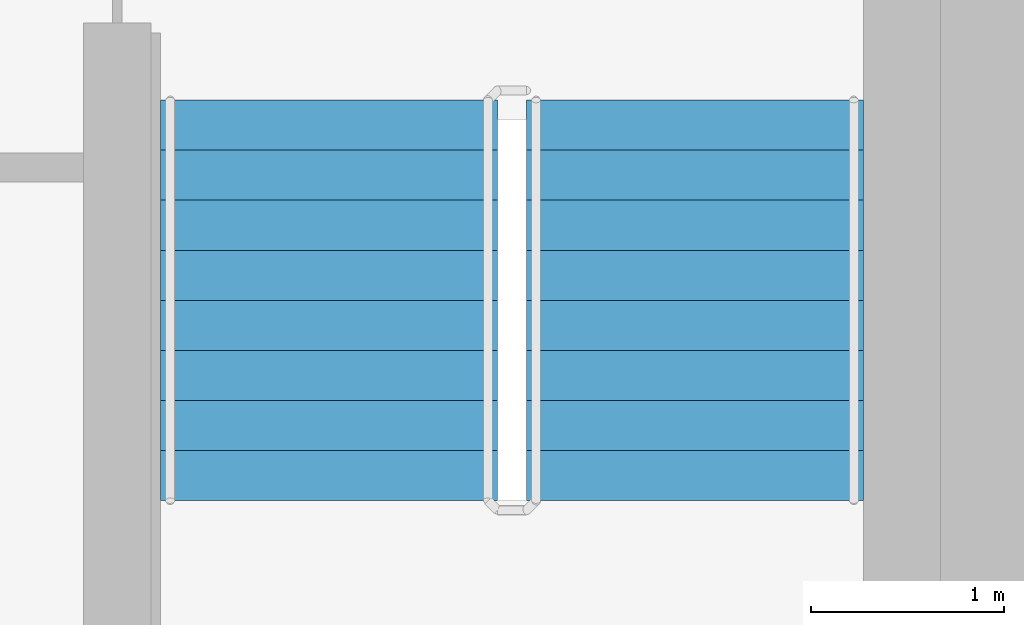
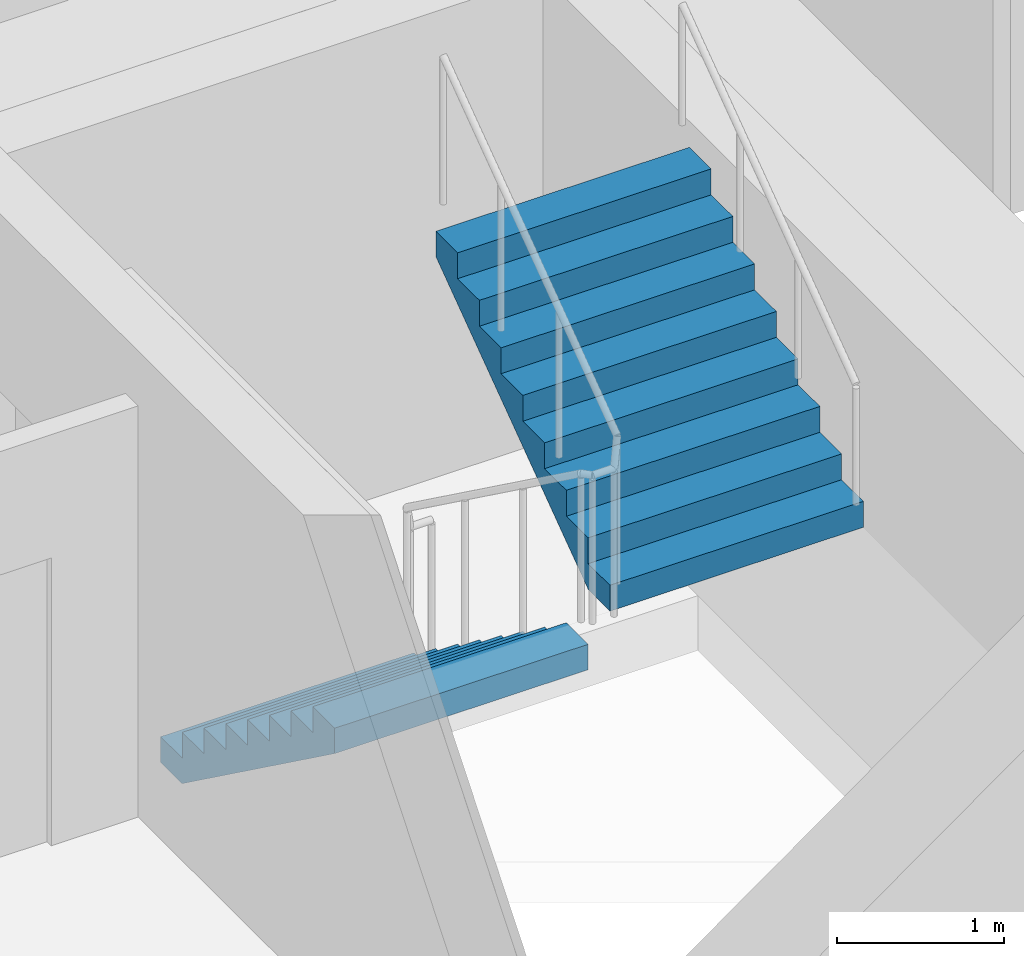
# One storey, part 14 of 18: 2 stair flights, 1 element without a shape of its own.
"""IFC4 building model written with IfcOpenShell, lengths in metres."""

from ifc_helpers import new_model, si_unit, direction, frame, origin, place, context, subcontext, project, spatial, faceted_brep, material, type_object, element, aggregate, save


model = new_model("IFC4")

# Units and contexts
model_context = context("Model", 3, precision=1e-05, world=origin(), true_north=direction((0.0, 1.0)))
body_context = subcontext(model_context, "Body", "Model", "MODEL_VIEW")
ifc_project = project(units=[si_unit("LENGTHUNIT", "METRE"), si_unit("AREAUNIT", "SQUARE_METRE"), si_unit("VOLUMEUNIT", "CUBIC_METRE"), si_unit("PLANEANGLEUNIT", "RADIAN"), si_unit("MASSUNIT", "GRAM", prefix="KILO")], contexts=[model_context])

# Site, building, storey
site_placement = place(None, origin())
site = spatial("IfcSite", under=ifc_project, at=site_placement, CompositionType="ELEMENT")
building_placement = place(site_placement, origin())
building = spatial("IfcBuilding", under=site, at=building_placement, Name="Ipe Terrace Towers", CompositionType="ELEMENT")
storey_placement = place(building_placement, frame((0.0, 0.0, 143.89990234375)))
storey = spatial("IfcBuildingStorey", under=building, at=storey_placement, Name="L39", CompositionType="ELEMENT", Elevation=143.89990234375)

# Stair, stair flights
ifc_material_1 = material(Name="Concrete C30/37", Category="concrete")
stair_type = type_object("IfcStairType", Name="Protected exit stair", PredefinedType="HALF_TURN_STAIR", material=ifc_material_1)
stair_placement = place(storey_placement, origin())
stair = element("IfcStair", 1, at=stair_placement, inside=storey, type_object=stair_type, Name="L39 Exit stair T2-C2", PredefinedType="HALF_TURN_STAIR")
ifc_material_2 = material(Name="Concrete C30/37", Category="concrete")
stair_flight_type = type_object("IfcStairFlightType", Name="Exit stair flight 1750", PredefinedType="STRAIGHT", material=ifc_material_2)
stair_flight_1_placement = place(storey_placement, frame((38.77490234375, -9.699951171875, 0.0), z_axis=(0.0, 0.0, 1.0), x_axis=(0.0, -1.0, 0.0)))
stair_flight_1 = element("IfcStairFlight", 2, at=stair_flight_1_placement, type_object=stair_flight_type, Name="T2-ST2 flight 1", NumberOfRisers=9, NumberOfTreads=8, PredefinedType="STRAIGHT", RiserHeight=0.188888889, TreadLength=0.26, context=body_context, shape_type="Brep", body=[
    faceted_brep([(0.255126953125, -0.875, 0.0), (2.080078125, -0.875, 1.325927734375), (2.080078125, -0.875, 1.51123046875), (1.820068359375, -0.875, 1.51123046875), (1.820068359375, -0.875, 1.322265625), (1.56005859375, -0.875, 1.322265625), (1.56005859375, -0.875, 1.13330078125), (1.300048828125, -0.875, 1.13330078125), (1.300048828125, -0.875, 0.9443359375), (1.0400390625, -0.875, 0.9443359375), (1.0400390625, -0.875, 0.755615234375), (0.780029296875, -0.875, 0.755615234375), (0.780029296875, -0.875, 0.566650390625), (0.52001953125, -0.875, 0.566650390625), (0.52001953125, -0.875, 0.377685546875), (0.260009765625, -0.875, 0.377685546875), (0.260009765625, -0.875, 0.18896484375), (0.0, -0.875, 0.18896484375), (0.0, -0.875, 0.0), (0.0, 0.875, 0.0), (0.0, 0.875, 0.18896484375), (0.260009765625, 0.875, 0.18896484375), (0.260009765625, 0.875, 0.377685546875), (0.52001953125, 0.875, 0.377685546875), (0.52001953125, 0.875, 0.566650390625), (0.780029296875, 0.875, 0.566650390625), (0.780029296875, 0.875, 0.755615234375), (1.0400390625, 0.875, 0.755615234375), (1.0400390625, 0.875, 0.9443359375), (1.300048828125, 0.875, 0.9443359375), (1.300048828125, 0.875, 1.13330078125), (1.56005859375, 0.875, 1.13330078125), (1.56005859375, 0.875, 1.322265625), (1.820068359375, 0.875, 1.322265625), (1.820068359375, 0.875, 1.51123046875), (2.080078125, 0.875, 1.51123046875), (2.080078125, 0.875, 1.325927734375), (0.255126953125, 0.875, 0.0), (0.0, -0.300048828125, 0.18896484375), (0.0, -0.1201171875, 0.18896484375), (0.0, -0.06005859375, 0.18896484375), (0.0, -0.030029296875, 0.18896484375), (0.0, -0.010009765625, 0.18896484375), (0.0, 0.0, 0.18896484375), (0.0, 0.010009765625, 0.18896484375), (0.0, 0.030029296875, 0.18896484375), (0.0, 0.06005859375, 0.18896484375), (0.0, 0.1201171875, 0.18896484375), (0.0, 0.300048828125, 0.18896484375), (0.0, 0.300048828125, 0.0), (0.0, 0.1201171875, 0.0), (0.0, 0.06005859375, 0.0), (0.0, 0.030029296875, 0.0), (0.0, 0.010009765625, 0.0), (0.0, 0.0, 0.0), (0.0, -0.010009765625, 0.0), (0.0, -0.030029296875, 0.0), (0.0, -0.06005859375, 0.0), (0.0, -0.1201171875, 0.0), (0.0, -0.300048828125, 0.0), (0.260009765625, -0.300048828125, 0.18896484375), (0.260009765625, -0.1201171875, 0.18896484375), (0.260009765625, -0.06005859375, 0.18896484375), (0.260009765625, -0.030029296875, 0.18896484375), (0.260009765625, -0.010009765625, 0.18896484375), (0.260009765625, 0.0, 0.18896484375), (0.260009765625, 0.010009765625, 0.18896484375), (0.260009765625, 0.030029296875, 0.18896484375), (0.260009765625, 0.06005859375, 0.18896484375), (0.260009765625, 0.1201171875, 0.18896484375), (0.260009765625, 0.300048828125, 0.18896484375), (0.260009765625, -0.300048828125, 0.377685546875), (0.260009765625, -0.1201171875, 0.377685546875), (0.260009765625, -0.06005859375, 0.377685546875), (0.260009765625, -0.030029296875, 0.377685546875), (0.260009765625, -0.010009765625, 0.377685546875), (0.260009765625, 0.0, 0.377685546875), (0.260009765625, 0.010009765625, 0.377685546875), (0.260009765625, 0.030029296875, 0.377685546875), (0.260009765625, 0.06005859375, 0.377685546875), (0.260009765625, 0.1201171875, 0.377685546875), (0.260009765625, 0.300048828125, 0.377685546875), (0.52001953125, -0.300048828125, 0.377685546875), (0.52001953125, -0.1201171875, 0.377685546875), (0.52001953125, -0.06005859375, 0.377685546875), (0.52001953125, -0.030029296875, 0.377685546875), (0.52001953125, -0.010009765625, 0.377685546875), (0.52001953125, 0.0, 0.377685546875), (0.52001953125, 0.010009765625, 0.377685546875), (0.52001953125, 0.030029296875, 0.377685546875), (0.52001953125, 0.06005859375, 0.377685546875), (0.52001953125, 0.1201171875, 0.377685546875), (0.52001953125, 0.300048828125, 0.377685546875), (0.52001953125, -0.300048828125, 0.566650390625), (0.52001953125, -0.1201171875, 0.566650390625), (0.52001953125, -0.06005859375, 0.566650390625), (0.52001953125, -0.030029296875, 0.566650390625), (0.52001953125, -0.010009765625, 0.566650390625), (0.52001953125, 0.0, 0.566650390625), (0.52001953125, 0.010009765625, 0.566650390625), (0.52001953125, 0.030029296875, 0.566650390625), (0.52001953125, 0.06005859375, 0.566650390625), (0.52001953125, 0.1201171875, 0.566650390625), (0.52001953125, 0.300048828125, 0.566650390625), (0.780029296875, -0.300048828125, 0.566650390625), (0.780029296875, -0.1201171875, 0.566650390625), (0.780029296875, -0.06005859375, 0.566650390625), (0.780029296875, -0.030029296875, 0.566650390625), (0.780029296875, -0.010009765625, 0.566650390625), (0.780029296875, 0.0, 0.566650390625), (0.780029296875, 0.010009765625, 0.566650390625), (0.780029296875, 0.030029296875, 0.566650390625), (0.780029296875, 0.06005859375, 0.566650390625), (0.780029296875, 0.1201171875, 0.566650390625), (0.780029296875, 0.300048828125, 0.566650390625), (0.780029296875, -0.300048828125, 0.755615234375), (0.780029296875, -0.1201171875, 0.755615234375), (0.780029296875, -0.06005859375, 0.755615234375), (0.780029296875, -0.030029296875, 0.755615234375), (0.780029296875, -0.010009765625, 0.755615234375), (0.780029296875, 0.0, 0.755615234375), (0.780029296875, 0.010009765625, 0.755615234375), (0.780029296875, 0.030029296875, 0.755615234375), (0.780029296875, 0.06005859375, 0.755615234375), (0.780029296875, 0.1201171875, 0.755615234375), (0.780029296875, 0.300048828125, 0.755615234375), (1.0400390625, -0.300048828125, 0.755615234375), (1.0400390625, -0.1201171875, 0.755615234375), (1.0400390625, -0.06005859375, 0.755615234375), (1.0400390625, -0.030029296875, 0.755615234375), (1.0400390625, -0.010009765625, 0.755615234375), (1.0400390625, 0.0, 0.755615234375), (1.0400390625, 0.010009765625, 0.755615234375), (1.0400390625, 0.030029296875, 0.755615234375), (1.0400390625, 0.06005859375, 0.755615234375), (1.0400390625, 0.1201171875, 0.755615234375), (1.0400390625, 0.300048828125, 0.755615234375), (1.0400390625, -0.300048828125, 0.9443359375), (1.0400390625, -0.1201171875, 0.9443359375), (1.0400390625, -0.06005859375, 0.9443359375), (1.0400390625, -0.030029296875, 0.9443359375), (1.0400390625, -0.010009765625, 0.9443359375), (1.0400390625, 0.0, 0.9443359375), (1.0400390625, 0.010009765625, 0.9443359375), (1.0400390625, 0.030029296875, 0.9443359375), (1.0400390625, 0.06005859375, 0.9443359375), (1.0400390625, 0.1201171875, 0.9443359375), (1.0400390625, 0.300048828125, 0.9443359375), (1.300048828125, -0.300048828125, 0.9443359375), (1.300048828125, -0.1201171875, 0.9443359375), (1.300048828125, -0.06005859375, 0.9443359375), (1.300048828125, -0.030029296875, 0.9443359375), (1.300048828125, -0.010009765625, 0.9443359375), (1.300048828125, 0.0, 0.9443359375), (1.300048828125, 0.010009765625, 0.9443359375), (1.300048828125, 0.030029296875, 0.9443359375), (1.300048828125, 0.06005859375, 0.9443359375), (1.300048828125, 0.1201171875, 0.9443359375), (1.300048828125, 0.300048828125, 0.9443359375), (1.300048828125, -0.300048828125, 1.13330078125), (1.300048828125, -0.1201171875, 1.13330078125), (1.300048828125, -0.06005859375, 1.13330078125), (1.300048828125, -0.030029296875, 1.13330078125), (1.300048828125, -0.010009765625, 1.13330078125), (1.300048828125, 0.0, 1.13330078125), (1.300048828125, 0.010009765625, 1.13330078125), (1.300048828125, 0.030029296875, 1.13330078125), (1.300048828125, 0.06005859375, 1.13330078125), (1.300048828125, 0.1201171875, 1.13330078125), (1.300048828125, 0.300048828125, 1.13330078125), (1.56005859375, -0.300048828125, 1.13330078125), (1.56005859375, -0.1201171875, 1.13330078125), (1.56005859375, -0.06005859375, 1.13330078125), (1.56005859375, -0.030029296875, 1.13330078125), (1.56005859375, -0.010009765625, 1.13330078125), (1.56005859375, 0.0, 1.13330078125), (1.56005859375, 0.010009765625, 1.13330078125), (1.56005859375, 0.030029296875, 1.13330078125), (1.56005859375, 0.06005859375, 1.13330078125), (1.56005859375, 0.1201171875, 1.13330078125), (1.56005859375, 0.300048828125, 1.13330078125), (1.56005859375, -0.300048828125, 1.322265625), (1.56005859375, -0.1201171875, 1.322265625), (1.56005859375, -0.06005859375, 1.322265625), (1.56005859375, -0.030029296875, 1.322265625), (1.56005859375, -0.010009765625, 1.322265625), (1.56005859375, 0.0, 1.322265625), (1.56005859375, 0.010009765625, 1.322265625), (1.56005859375, 0.030029296875, 1.322265625), (1.56005859375, 0.06005859375, 1.322265625), (1.56005859375, 0.1201171875, 1.322265625), (1.56005859375, 0.300048828125, 1.322265625), (1.820068359375, -0.300048828125, 1.322265625), (1.820068359375, -0.1201171875, 1.322265625), (1.820068359375, -0.06005859375, 1.322265625), (1.820068359375, -0.030029296875, 1.322265625), (1.820068359375, -0.010009765625, 1.322265625), (1.820068359375, 0.0, 1.322265625), (1.820068359375, 0.010009765625, 1.322265625), (1.820068359375, 0.030029296875, 1.322265625), (1.820068359375, 0.06005859375, 1.322265625), (1.820068359375, 0.1201171875, 1.322265625), (1.820068359375, 0.300048828125, 1.322265625), (1.820068359375, -0.300048828125, 1.51123046875), (1.820068359375, -0.1201171875, 1.51123046875), (1.820068359375, -0.06005859375, 1.51123046875), (1.820068359375, -0.030029296875, 1.51123046875), (1.820068359375, -0.010009765625, 1.51123046875), (1.820068359375, 0.0, 1.51123046875), (1.820068359375, 0.010009765625, 1.51123046875), (1.820068359375, 0.030029296875, 1.51123046875), (1.820068359375, 0.06005859375, 1.51123046875), (1.820068359375, 0.1201171875, 1.51123046875), (1.820068359375, 0.300048828125, 1.51123046875), (2.080078125, -0.300048828125, 1.51123046875), (2.080078125, -0.1201171875, 1.51123046875), (2.080078125, -0.06005859375, 1.51123046875), (2.080078125, -0.030029296875, 1.51123046875), (2.080078125, -0.010009765625, 1.51123046875), (2.080078125, 0.0, 1.51123046875), (2.080078125, 0.010009765625, 1.51123046875), (2.080078125, 0.030029296875, 1.51123046875), (2.080078125, 0.06005859375, 1.51123046875), (2.080078125, 0.1201171875, 1.51123046875), (2.080078125, 0.300048828125, 1.51123046875), (2.080078125, -0.300048828125, 1.325927734375), (2.080078125, -0.1201171875, 1.325927734375), (2.080078125, -0.06005859375, 1.325927734375), (2.080078125, -0.030029296875, 1.325927734375), (2.080078125, -0.010009765625, 1.325927734375), (2.080078125, 0.0, 1.325927734375), (2.080078125, 0.010009765625, 1.325927734375), (2.080078125, 0.030029296875, 1.325927734375), (2.080078125, 0.06005859375, 1.325927734375), (2.080078125, 0.1201171875, 1.325927734375), (2.080078125, 0.300048828125, 1.325927734375), (0.255126953125, -0.300048828125, 0.0), (0.255126953125, -0.1201171875, 0.0), (0.255126953125, -0.06005859375, 0.0), (0.255126953125, -0.030029296875, 0.0), (0.255126953125, -0.010009765625, 0.0), (0.255126953125, 0.0, 0.0), (0.255126953125, 0.010009765625, 0.0), (0.255126953125, 0.030029296875, 0.0), (0.255126953125, 0.06005859375, 0.0), (0.255126953125, 0.1201171875, 0.0), (0.255126953125, 0.300048828125, 0.0)], [[[0, 1, 2, 3, 4, 5, 6, 7, 8, 9, 10, 11, 12, 13, 14, 15, 16, 17, 18]], [[19, 20, 21, 22, 23, 24, 25, 26, 27, 28, 29, 30, 31, 32, 33, 34, 35, 36, 37]], [[17, 38, 39, 40, 41, 42, 43, 44, 45, 46, 47, 48, 20, 19, 49, 50, 51, 52, 53, 54, 55, 56, 57, 58, 59, 18]], [[16, 60, 61, 62, 63, 64, 65, 66, 67, 68, 69, 70, 21, 20, 48, 47, 46, 45, 44, 43, 42, 41, 40, 39, 38, 17]], [[15, 71, 72, 73, 74, 75, 76, 77, 78, 79, 80, 81, 22, 21, 70, 69, 68, 67, 66, 65, 64, 63, 62, 61, 60, 16]], [[14, 82, 83, 84, 85, 86, 87, 88, 89, 90, 91, 92, 23, 22, 81, 80, 79, 78, 77, 76, 75, 74, 73, 72, 71, 15]], [[13, 93, 94, 95, 96, 97, 98, 99, 100, 101, 102, 103, 24, 23, 92, 91, 90, 89, 88, 87, 86, 85, 84, 83, 82, 14]], [[12, 104, 105, 106, 107, 108, 109, 110, 111, 112, 113, 114, 25, 24, 103, 102, 101, 100, 99, 98, 97, 96, 95, 94, 93, 13]], [[11, 115, 116, 117, 118, 119, 120, 121, 122, 123, 124, 125, 26, 25, 114, 113, 112, 111, 110, 109, 108, 107, 106, 105, 104, 12]], [[10, 126, 127, 128, 129, 130, 131, 132, 133, 134, 135, 136, 27, 26, 125, 124, 123, 122, 121, 120, 119, 118, 117, 116, 115, 11]], [[9, 137, 138, 139, 140, 141, 142, 143, 144, 145, 146, 147, 28, 27, 136, 135, 134, 133, 132, 131, 130, 129, 128, 127, 126, 10]], [[8, 148, 149, 150, 151, 152, 153, 154, 155, 156, 157, 158, 29, 28, 147, 146, 145, 144, 143, 142, 141, 140, 139, 138, 137, 9]], [[7, 159, 160, 161, 162, 163, 164, 165, 166, 167, 168, 169, 30, 29, 158, 157, 156, 155, 154, 153, 152, 151, 150, 149, 148, 8]], [[6, 170, 171, 172, 173, 174, 175, 176, 177, 178, 179, 180, 31, 30, 169, 168, 167, 166, 165, 164, 163, 162, 161, 160, 159, 7]], [[5, 181, 182, 183, 184, 185, 186, 187, 188, 189, 190, 191, 32, 31, 180, 179, 178, 177, 176, 175, 174, 173, 172, 171, 170, 6]], [[4, 192, 193, 194, 195, 196, 197, 198, 199, 200, 201, 202, 33, 32, 191, 190, 189, 188, 187, 186, 185, 184, 183, 182, 181, 5]], [[3, 203, 204, 205, 206, 207, 208, 209, 210, 211, 212, 213, 34, 33, 202, 201, 200, 199, 198, 197, 196, 195, 194, 193, 192, 4]], [[2, 214, 215, 216, 217, 218, 219, 220, 221, 222, 223, 224, 35, 34, 213, 212, 211, 210, 209, 208, 207, 206, 205, 204, 203, 3]], [[1, 225, 226, 227, 228, 229, 230, 231, 232, 233, 234, 235, 36, 35, 224, 223, 222, 221, 220, 219, 218, 217, 216, 215, 214, 2]], [[0, 236, 237, 238, 239, 240, 241, 242, 243, 244, 245, 246, 37, 36, 235, 234, 233, 232, 231, 230, 229, 228, 227, 226, 225, 1]], [[18, 59, 58, 57, 56, 55, 54, 53, 52, 51, 50, 49, 19, 37, 246, 245, 244, 243, 242, 241, 240, 239, 238, 237, 236, 0]]]),
])
stair_flight_2_placement = place(storey_placement, frame((40.675048828125, -11.780029296875, 1.7001953125), z_axis=(0.0, 0.0, 1.0), x_axis=(0.0, 1.0, 0.0)))
stair_flight_2 = element("IfcStairFlight", 3, at=stair_flight_2_placement, type_object=stair_flight_type, Name="T2-ST2 flight 2", NumberOfRisers=9, NumberOfTreads=8, PredefinedType="STRAIGHT", RiserHeight=0.188888889, TreadLength=0.26, context=body_context, shape_type="Brep", body=[
    faceted_brep([(0.255126953125, -0.875, 0.0), (2.080078125, -0.875, 1.325927734375), (2.080078125, -0.875, 1.51123046875), (1.820068359375, -0.875, 1.51123046875), (1.820068359375, -0.875, 1.322265625), (1.56005859375, -0.875, 1.322265625), (1.56005859375, -0.875, 1.13330078125), (1.300048828125, -0.875, 1.13330078125), (1.300048828125, -0.875, 0.9443359375), (1.0400390625, -0.875, 0.9443359375), (1.0400390625, -0.875, 0.755615234375), (0.780029296875, -0.875, 0.755615234375), (0.780029296875, -0.875, 0.566650390625), (0.52001953125, -0.875, 0.566650390625), (0.52001953125, -0.875, 0.377685546875), (0.260009765625, -0.875, 0.377685546875), (0.260009765625, -0.875, 0.18896484375), (0.0, -0.875, 0.18896484375), (0.0, -0.875, 0.0), (0.0, 0.875, 0.0), (0.0, 0.875, 0.18896484375), (0.260009765625, 0.875, 0.18896484375), (0.260009765625, 0.875, 0.377685546875), (0.52001953125, 0.875, 0.377685546875), (0.52001953125, 0.875, 0.566650390625), (0.780029296875, 0.875, 0.566650390625), (0.780029296875, 0.875, 0.755615234375), (1.0400390625, 0.875, 0.755615234375), (1.0400390625, 0.875, 0.9443359375), (1.300048828125, 0.875, 0.9443359375), (1.300048828125, 0.875, 1.13330078125), (1.56005859375, 0.875, 1.13330078125), (1.56005859375, 0.875, 1.322265625), (1.820068359375, 0.875, 1.322265625), (1.820068359375, 0.875, 1.51123046875), (2.080078125, 0.875, 1.51123046875), (2.080078125, 0.875, 1.325927734375), (0.255126953125, 0.875, 0.0), (0.0, -0.300048828125, 0.18896484375), (0.0, -0.1201171875, 0.18896484375), (0.0, -0.06005859375, 0.18896484375), (0.0, -0.030029296875, 0.18896484375), (0.0, -0.010009765625, 0.18896484375), (0.0, 0.0, 0.18896484375), (0.0, 0.010009765625, 0.18896484375), (0.0, 0.030029296875, 0.18896484375), (0.0, 0.06005859375, 0.18896484375), (0.0, 0.1201171875, 0.18896484375), (0.0, 0.300048828125, 0.18896484375), (0.0, 0.300048828125, 0.0), (0.0, 0.1201171875, 0.0), (0.0, 0.06005859375, 0.0), (0.0, 0.030029296875, 0.0), (0.0, 0.010009765625, 0.0), (0.0, 0.0, 0.0), (0.0, -0.010009765625, 0.0), (0.0, -0.030029296875, 0.0), (0.0, -0.06005859375, 0.0), (0.0, -0.1201171875, 0.0), (0.0, -0.300048828125, 0.0), (0.260009765625, -0.300048828125, 0.18896484375), (0.260009765625, -0.1201171875, 0.18896484375), (0.260009765625, -0.06005859375, 0.18896484375), (0.260009765625, -0.030029296875, 0.18896484375), (0.260009765625, -0.010009765625, 0.18896484375), (0.260009765625, 0.0, 0.18896484375), (0.260009765625, 0.010009765625, 0.18896484375), (0.260009765625, 0.030029296875, 0.18896484375), (0.260009765625, 0.06005859375, 0.18896484375), (0.260009765625, 0.1201171875, 0.18896484375), (0.260009765625, 0.300048828125, 0.18896484375), (0.260009765625, -0.300048828125, 0.377685546875), (0.260009765625, -0.1201171875, 0.377685546875), (0.260009765625, -0.06005859375, 0.377685546875), (0.260009765625, -0.030029296875, 0.377685546875), (0.260009765625, -0.010009765625, 0.377685546875), (0.260009765625, 0.0, 0.377685546875), (0.260009765625, 0.010009765625, 0.377685546875), (0.260009765625, 0.030029296875, 0.377685546875), (0.260009765625, 0.06005859375, 0.377685546875), (0.260009765625, 0.1201171875, 0.377685546875), (0.260009765625, 0.300048828125, 0.377685546875), (0.52001953125, -0.300048828125, 0.377685546875), (0.52001953125, -0.1201171875, 0.377685546875), (0.52001953125, -0.06005859375, 0.377685546875), (0.52001953125, -0.030029296875, 0.377685546875), (0.52001953125, -0.010009765625, 0.377685546875), (0.52001953125, 0.0, 0.377685546875), (0.52001953125, 0.010009765625, 0.377685546875), (0.52001953125, 0.030029296875, 0.377685546875), (0.52001953125, 0.06005859375, 0.377685546875), (0.52001953125, 0.1201171875, 0.377685546875), (0.52001953125, 0.300048828125, 0.377685546875), (0.52001953125, -0.300048828125, 0.566650390625), (0.52001953125, -0.1201171875, 0.566650390625), (0.52001953125, -0.06005859375, 0.566650390625), (0.52001953125, -0.030029296875, 0.566650390625), (0.52001953125, -0.010009765625, 0.566650390625), (0.52001953125, 0.0, 0.566650390625), (0.52001953125, 0.010009765625, 0.566650390625), (0.52001953125, 0.030029296875, 0.566650390625), (0.52001953125, 0.06005859375, 0.566650390625), (0.52001953125, 0.1201171875, 0.566650390625), (0.52001953125, 0.300048828125, 0.566650390625), (0.780029296875, -0.300048828125, 0.566650390625), (0.780029296875, -0.1201171875, 0.566650390625), (0.780029296875, -0.06005859375, 0.566650390625), (0.780029296875, -0.030029296875, 0.566650390625), (0.780029296875, -0.010009765625, 0.566650390625), (0.780029296875, 0.0, 0.566650390625), (0.780029296875, 0.010009765625, 0.566650390625), (0.780029296875, 0.030029296875, 0.566650390625), (0.780029296875, 0.06005859375, 0.566650390625), (0.780029296875, 0.1201171875, 0.566650390625), (0.780029296875, 0.300048828125, 0.566650390625), (0.780029296875, -0.300048828125, 0.755615234375), (0.780029296875, -0.1201171875, 0.755615234375), (0.780029296875, -0.06005859375, 0.755615234375), (0.780029296875, -0.030029296875, 0.755615234375), (0.780029296875, -0.010009765625, 0.755615234375), (0.780029296875, 0.0, 0.755615234375), (0.780029296875, 0.010009765625, 0.755615234375), (0.780029296875, 0.030029296875, 0.755615234375), (0.780029296875, 0.06005859375, 0.755615234375), (0.780029296875, 0.1201171875, 0.755615234375), (0.780029296875, 0.300048828125, 0.755615234375), (1.0400390625, -0.300048828125, 0.755615234375), (1.0400390625, -0.1201171875, 0.755615234375), (1.0400390625, -0.06005859375, 0.755615234375), (1.0400390625, -0.030029296875, 0.755615234375), (1.0400390625, -0.010009765625, 0.755615234375), (1.0400390625, 0.0, 0.755615234375), (1.0400390625, 0.010009765625, 0.755615234375), (1.0400390625, 0.030029296875, 0.755615234375), (1.0400390625, 0.06005859375, 0.755615234375), (1.0400390625, 0.1201171875, 0.755615234375), (1.0400390625, 0.300048828125, 0.755615234375), (1.0400390625, -0.300048828125, 0.9443359375), (1.0400390625, -0.1201171875, 0.9443359375), (1.0400390625, -0.06005859375, 0.9443359375), (1.0400390625, -0.030029296875, 0.9443359375), (1.0400390625, -0.010009765625, 0.9443359375), (1.0400390625, 0.0, 0.9443359375), (1.0400390625, 0.010009765625, 0.9443359375), (1.0400390625, 0.030029296875, 0.9443359375), (1.0400390625, 0.06005859375, 0.9443359375), (1.0400390625, 0.1201171875, 0.9443359375), (1.0400390625, 0.300048828125, 0.9443359375), (1.300048828125, -0.300048828125, 0.9443359375), (1.300048828125, -0.1201171875, 0.9443359375), (1.300048828125, -0.06005859375, 0.9443359375), (1.300048828125, -0.030029296875, 0.9443359375), (1.300048828125, -0.010009765625, 0.9443359375), (1.300048828125, 0.0, 0.9443359375), (1.300048828125, 0.010009765625, 0.9443359375), (1.300048828125, 0.030029296875, 0.9443359375), (1.300048828125, 0.06005859375, 0.9443359375), (1.300048828125, 0.1201171875, 0.9443359375), (1.300048828125, 0.300048828125, 0.9443359375), (1.300048828125, -0.300048828125, 1.13330078125), (1.300048828125, -0.1201171875, 1.13330078125), (1.300048828125, -0.06005859375, 1.13330078125), (1.300048828125, -0.030029296875, 1.13330078125), (1.300048828125, -0.010009765625, 1.13330078125), (1.300048828125, 0.0, 1.13330078125), (1.300048828125, 0.010009765625, 1.13330078125), (1.300048828125, 0.030029296875, 1.13330078125), (1.300048828125, 0.06005859375, 1.13330078125), (1.300048828125, 0.1201171875, 1.13330078125), (1.300048828125, 0.300048828125, 1.13330078125), (1.56005859375, -0.300048828125, 1.13330078125), (1.56005859375, -0.1201171875, 1.13330078125), (1.56005859375, -0.06005859375, 1.13330078125), (1.56005859375, -0.030029296875, 1.13330078125), (1.56005859375, -0.010009765625, 1.13330078125), (1.56005859375, 0.0, 1.13330078125), (1.56005859375, 0.010009765625, 1.13330078125), (1.56005859375, 0.030029296875, 1.13330078125), (1.56005859375, 0.06005859375, 1.13330078125), (1.56005859375, 0.1201171875, 1.13330078125), (1.56005859375, 0.300048828125, 1.13330078125), (1.56005859375, -0.300048828125, 1.322265625), (1.56005859375, -0.1201171875, 1.322265625), (1.56005859375, -0.06005859375, 1.322265625), (1.56005859375, -0.030029296875, 1.322265625), (1.56005859375, -0.010009765625, 1.322265625), (1.56005859375, 0.0, 1.322265625), (1.56005859375, 0.010009765625, 1.322265625), (1.56005859375, 0.030029296875, 1.322265625), (1.56005859375, 0.06005859375, 1.322265625), (1.56005859375, 0.1201171875, 1.322265625), (1.56005859375, 0.300048828125, 1.322265625), (1.820068359375, -0.300048828125, 1.322265625), (1.820068359375, -0.1201171875, 1.322265625), (1.820068359375, -0.06005859375, 1.322265625), (1.820068359375, -0.030029296875, 1.322265625), (1.820068359375, -0.010009765625, 1.322265625), (1.820068359375, 0.0, 1.322265625), (1.820068359375, 0.010009765625, 1.322265625), (1.820068359375, 0.030029296875, 1.322265625), (1.820068359375, 0.06005859375, 1.322265625), (1.820068359375, 0.1201171875, 1.322265625), (1.820068359375, 0.300048828125, 1.322265625), (1.820068359375, -0.300048828125, 1.51123046875), (1.820068359375, -0.1201171875, 1.51123046875), (1.820068359375, -0.06005859375, 1.51123046875), (1.820068359375, -0.030029296875, 1.51123046875), (1.820068359375, -0.010009765625, 1.51123046875), (1.820068359375, 0.0, 1.51123046875), (1.820068359375, 0.010009765625, 1.51123046875), (1.820068359375, 0.030029296875, 1.51123046875), (1.820068359375, 0.06005859375, 1.51123046875), (1.820068359375, 0.1201171875, 1.51123046875), (1.820068359375, 0.300048828125, 1.51123046875), (2.080078125, -0.300048828125, 1.51123046875), (2.080078125, -0.1201171875, 1.51123046875), (2.080078125, -0.06005859375, 1.51123046875), (2.080078125, -0.030029296875, 1.51123046875), (2.080078125, -0.010009765625, 1.51123046875), (2.080078125, 0.0, 1.51123046875), (2.080078125, 0.010009765625, 1.51123046875), (2.080078125, 0.030029296875, 1.51123046875), (2.080078125, 0.06005859375, 1.51123046875), (2.080078125, 0.1201171875, 1.51123046875), (2.080078125, 0.300048828125, 1.51123046875), (2.080078125, -0.300048828125, 1.325927734375), (2.080078125, -0.1201171875, 1.325927734375), (2.080078125, -0.06005859375, 1.325927734375), (2.080078125, -0.030029296875, 1.325927734375), (2.080078125, -0.010009765625, 1.325927734375), (2.080078125, 0.0, 1.325927734375), (2.080078125, 0.010009765625, 1.325927734375), (2.080078125, 0.030029296875, 1.325927734375), (2.080078125, 0.06005859375, 1.325927734375), (2.080078125, 0.1201171875, 1.325927734375), (2.080078125, 0.300048828125, 1.325927734375), (0.255126953125, -0.300048828125, 0.0), (0.255126953125, -0.1201171875, 0.0), (0.255126953125, -0.06005859375, 0.0), (0.255126953125, -0.030029296875, 0.0), (0.255126953125, -0.010009765625, 0.0), (0.255126953125, 0.0, 0.0), (0.255126953125, 0.010009765625, 0.0), (0.255126953125, 0.030029296875, 0.0), (0.255126953125, 0.06005859375, 0.0), (0.255126953125, 0.1201171875, 0.0), (0.255126953125, 0.300048828125, 0.0)], [[[0, 1, 2, 3, 4, 5, 6, 7, 8, 9, 10, 11, 12, 13, 14, 15, 16, 17, 18]], [[19, 20, 21, 22, 23, 24, 25, 26, 27, 28, 29, 30, 31, 32, 33, 34, 35, 36, 37]], [[17, 38, 39, 40, 41, 42, 43, 44, 45, 46, 47, 48, 20, 19, 49, 50, 51, 52, 53, 54, 55, 56, 57, 58, 59, 18]], [[16, 60, 61, 62, 63, 64, 65, 66, 67, 68, 69, 70, 21, 20, 48, 47, 46, 45, 44, 43, 42, 41, 40, 39, 38, 17]], [[15, 71, 72, 73, 74, 75, 76, 77, 78, 79, 80, 81, 22, 21, 70, 69, 68, 67, 66, 65, 64, 63, 62, 61, 60, 16]], [[14, 82, 83, 84, 85, 86, 87, 88, 89, 90, 91, 92, 23, 22, 81, 80, 79, 78, 77, 76, 75, 74, 73, 72, 71, 15]], [[13, 93, 94, 95, 96, 97, 98, 99, 100, 101, 102, 103, 24, 23, 92, 91, 90, 89, 88, 87, 86, 85, 84, 83, 82, 14]], [[12, 104, 105, 106, 107, 108, 109, 110, 111, 112, 113, 114, 25, 24, 103, 102, 101, 100, 99, 98, 97, 96, 95, 94, 93, 13]], [[11, 115, 116, 117, 118, 119, 120, 121, 122, 123, 124, 125, 26, 25, 114, 113, 112, 111, 110, 109, 108, 107, 106, 105, 104, 12]], [[10, 126, 127, 128, 129, 130, 131, 132, 133, 134, 135, 136, 27, 26, 125, 124, 123, 122, 121, 120, 119, 118, 117, 116, 115, 11]], [[9, 137, 138, 139, 140, 141, 142, 143, 144, 145, 146, 147, 28, 27, 136, 135, 134, 133, 132, 131, 130, 129, 128, 127, 126, 10]], [[8, 148, 149, 150, 151, 152, 153, 154, 155, 156, 157, 158, 29, 28, 147, 146, 145, 144, 143, 142, 141, 140, 139, 138, 137, 9]], [[7, 159, 160, 161, 162, 163, 164, 165, 166, 167, 168, 169, 30, 29, 158, 157, 156, 155, 154, 153, 152, 151, 150, 149, 148, 8]], [[6, 170, 171, 172, 173, 174, 175, 176, 177, 178, 179, 180, 31, 30, 169, 168, 167, 166, 165, 164, 163, 162, 161, 160, 159, 7]], [[5, 181, 182, 183, 184, 185, 186, 187, 188, 189, 190, 191, 32, 31, 180, 179, 178, 177, 176, 175, 174, 173, 172, 171, 170, 6]], [[4, 192, 193, 194, 195, 196, 197, 198, 199, 200, 201, 202, 33, 32, 191, 190, 189, 188, 187, 186, 185, 184, 183, 182, 181, 5]], [[3, 203, 204, 205, 206, 207, 208, 209, 210, 211, 212, 213, 34, 33, 202, 201, 200, 199, 198, 197, 196, 195, 194, 193, 192, 4]], [[2, 214, 215, 216, 217, 218, 219, 220, 221, 222, 223, 224, 35, 34, 213, 212, 211, 210, 209, 208, 207, 206, 205, 204, 203, 3]], [[1, 225, 226, 227, 228, 229, 230, 231, 232, 233, 234, 235, 36, 35, 224, 223, 222, 221, 220, 219, 218, 217, 216, 215, 214, 2]], [[0, 236, 237, 238, 239, 240, 241, 242, 243, 244, 245, 246, 37, 36, 235, 234, 233, 232, 231, 230, 229, 228, 227, 226, 225, 1]], [[18, 59, 58, 57, 56, 55, 54, 53, 52, 51, 50, 49, 19, 37, 246, 245, 244, 243, 242, 241, 240, 239, 238, 237, 236, 0]]]),
])
aggregate(stair, [stair_flight_1, stair_flight_2])

save(model, "model.ifc")
